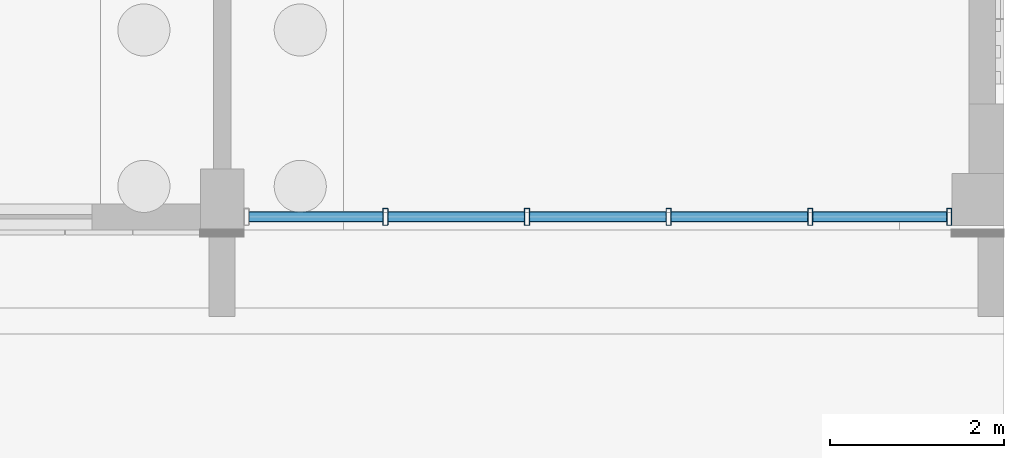
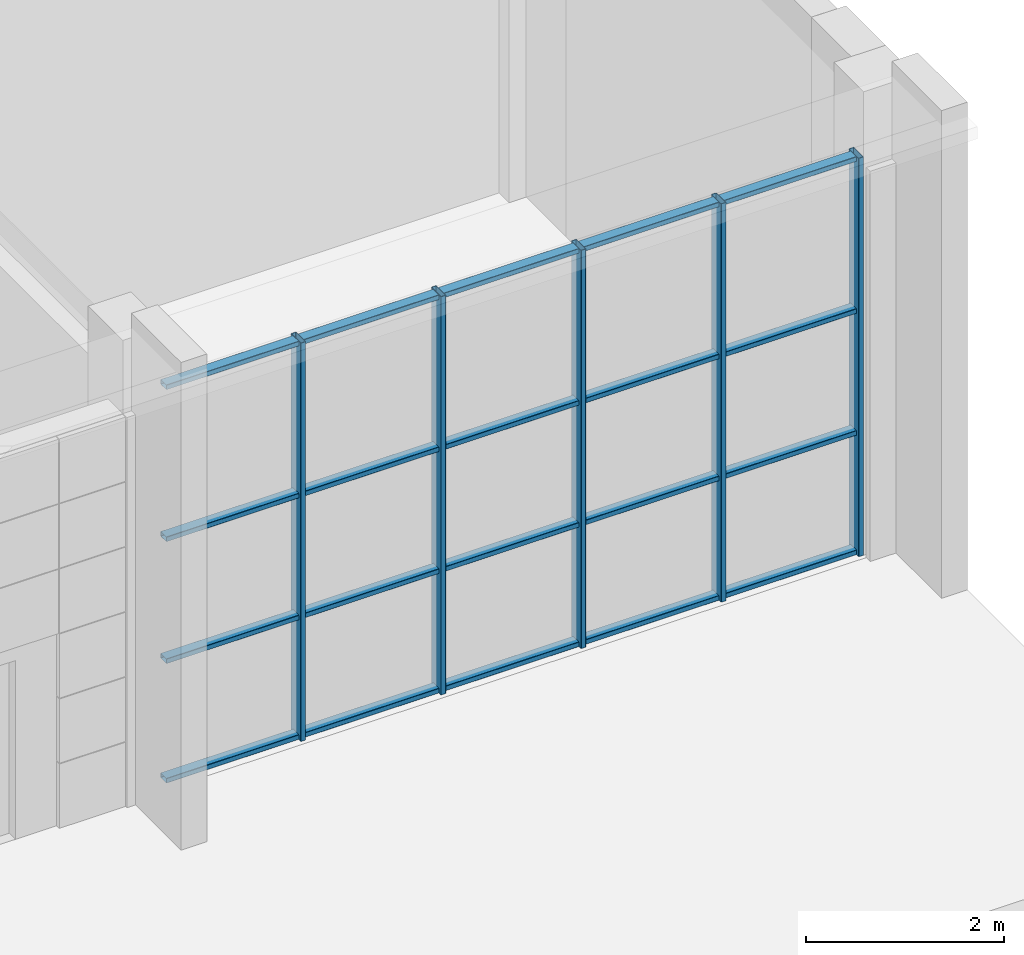
# One storey, part 28 of 125: 25 members, 1 element without a shape of its own.
"""IFC4 building model written with IfcOpenShell, lengths in metres."""

from ifc_helpers import new_model, si_unit, direction, frame, origin, origin_2d, place, context, subcontext, project, spatial, hollow_rectangle, extrude, material, material_profile, profile_set, type_object, element, aggregate, save


model = new_model("IFC4")

# Units and contexts
model_context = context("Model", 3, precision=1e-05, world=origin(), true_north=direction((0.0, 1.0)))
body_context = subcontext(model_context, "Body", "Model", "MODEL_VIEW")
ifc_project = project(units=[si_unit("LENGTHUNIT", "METRE"), si_unit("AREAUNIT", "SQUARE_METRE"), si_unit("VOLUMEUNIT", "CUBIC_METRE"), si_unit("PLANEANGLEUNIT", "RADIAN"), si_unit("MASSUNIT", "GRAM", prefix="KILO")], contexts=[model_context])

# Site, building, storey
site_placement = place(None, origin())
site = spatial("IfcSite", under=ifc_project, at=site_placement, CompositionType="ELEMENT")
building_placement = place(site_placement, origin())
building = spatial("IfcBuilding", under=site, at=building_placement, Name="Sun Court Science Centre", CompositionType="ELEMENT")
storey_placement = place(building_placement, origin())
storey = spatial("IfcBuildingStorey", under=building, at=storey_placement, Name="L00", CompositionType="ELEMENT", Elevation=0.0)

# Curtain wall, members
ifc_material_1 = material(Name="Aluminium EN AW-6063 T6", Category="aluminium")
curtain_wall_type = type_object("IfcCurtainWallType", Name="Laboratory tall bay curtain wall 1500", PredefinedType="NOTDEFINED", material=ifc_material_1)
curtain_wall_placement = place(storey_placement, origin())
curtain_wall = element("IfcCurtainWall", 1, at=curtain_wall_placement, inside=storey, type_object=curtain_wall_type, Name="Curtain wall V4 S L00 01", PredefinedType="NOTDEFINED")
ifc_material_2 = material(Name="Aluminium EN AW-6063 T6", Category="aluminium")
ifc_material_profile_1 = material_profile(ifc_material_2, hollow_rectangle(XDim=0.06005859375, YDim=0.199951171875, WallThickness=0.0048828125, InnerFilletRadius=0.0048828125, OuterFilletRadius=0.007568359375, at=origin_2d()), Name="AL 60x200x5")
ifc_profile_set_1 = profile_set([ifc_material_profile_1], Name="Aluminium EN AW-6063 T6")
member_type_1 = type_object("IfcMemberType", Name="Curtain wall mullion AL 60x200", PredefinedType="MULLION", material=ifc_profile_set_1)
member_1_placement = place(storey_placement, frame((96.8798828125, 6.14990234375, 0.0), z_axis=(0.0, 0.0, 1.0), x_axis=(-1.0, 0.0, 0.0)))
member_1 = element("IfcMember", 2, at=member_1_placement, type_object=member_type_1, Name="CW2-47 mullion 5", PredefinedType="MULLION", context=body_context, shape_type="SweptSolid", body=[
    extrude(hollow_rectangle(XDim=0.06005859375, YDim=0.199951171875, WallThickness=0.0048828125, InnerFilletRadius=0.0048828125, OuterFilletRadius=0.007568359375, at=origin_2d()), origin(), (0.0, 0.0, 1.0), 4.89990234375),
])
member_2_placement = place(storey_placement, frame((98.510009765625, 6.14990234375, 0.0), z_axis=(0.0, 0.0, 1.0), x_axis=(-1.0, 0.0, 0.0)))
member_2 = element("IfcMember", 3, at=member_2_placement, type_object=member_type_1, Name="CW2-47 mullion 4", PredefinedType="MULLION", context=body_context, shape_type="SweptSolid", body=[
    extrude(hollow_rectangle(XDim=0.06005859375, YDim=0.199951171875, WallThickness=0.0048828125, InnerFilletRadius=0.0048828125, OuterFilletRadius=0.007568359375, at=origin_2d()), origin(), (0.0, 0.0, 1.0), 4.89990234375),
])
member_3_placement = place(storey_placement, frame((100.139892578125, 6.14990234375, 0.0), z_axis=(0.0, 0.0, 1.0), x_axis=(-1.0, 0.0, 0.0)))
member_3 = element("IfcMember", 4, at=member_3_placement, type_object=member_type_1, Name="CW2-47 mullion 3", PredefinedType="MULLION", context=body_context, shape_type="SweptSolid", body=[
    extrude(hollow_rectangle(XDim=0.06005859375, YDim=0.199951171875, WallThickness=0.0048828125, InnerFilletRadius=0.0048828125, OuterFilletRadius=0.007568359375, at=origin_2d()), origin(), (0.0, 0.0, 1.0), 4.89990234375),
])
member_4_placement = place(storey_placement, frame((101.77001953125, 6.14990234375, 0.0), z_axis=(0.0, 0.0, 1.0), x_axis=(-1.0, 0.0, 0.0)))
member_4 = element("IfcMember", 5, at=member_4_placement, type_object=member_type_1, Name="CW2-47 mullion 2", PredefinedType="MULLION", context=body_context, shape_type="SweptSolid", body=[
    extrude(hollow_rectangle(XDim=0.06005859375, YDim=0.199951171875, WallThickness=0.0048828125, InnerFilletRadius=0.0048828125, OuterFilletRadius=0.007568359375, at=origin_2d()), origin(), (0.0, 0.0, 1.0), 4.89990234375),
])
member_5_placement = place(storey_placement, frame((103.3701171875, 6.14990234375, 0.0), z_axis=(0.0, 0.0, 1.0), x_axis=(-1.0, 0.0, 0.0)))
member_5 = element("IfcMember", 6, at=member_5_placement, type_object=member_type_1, Name="CW2-47 mullion 1", PredefinedType="MULLION", context=body_context, shape_type="SweptSolid", body=[
    extrude(hollow_rectangle(XDim=0.06005859375, YDim=0.199951171875, WallThickness=0.0048828125, InnerFilletRadius=0.0048828125, OuterFilletRadius=0.007568359375, at=origin_2d()), origin(), (0.0, 0.0, 1.0), 4.89990234375),
])
ifc_material_3 = material(Name="Aluminium EN AW-6063 T6", Category="aluminium")
ifc_material_profile_2 = material_profile(ifc_material_3, hollow_rectangle(XDim=0.06005859375, YDim=0.1201171875, WallThickness=0.00390625, InnerFilletRadius=0.00390625, OuterFilletRadius=0.006103515625, at=origin_2d()), Name="AL 60x120x4")
ifc_profile_set_2 = profile_set([ifc_material_profile_2], Name="Aluminium EN AW-6063 T6")
member_type_2 = type_object("IfcMemberType", Name="Curtain wall transom AL 60x120", PredefinedType="USERDEFINED", material=ifc_profile_set_2)
member_6_placement = place(storey_placement, frame((96.85009765625, 6.14990234375, 0.030029296875), z_axis=(-1.0, 0.0, 0.0), x_axis=(0.0, 0.0, 1.0)))
member_6 = element("IfcMember", 7, at=member_6_placement, type_object=member_type_2, Name="CW2-47 transom 5.1", ObjectType="TRANSOM", PredefinedType="USERDEFINED", context=body_context, shape_type="SweptSolid", body=[
    extrude(hollow_rectangle(XDim=0.06005859375, YDim=0.1201171875, WallThickness=0.00390625, InnerFilletRadius=0.00390625, OuterFilletRadius=0.006103515625, at=origin_2d()), origin(), (0.0, 0.0, 1.0), 1.5400390625),
])
member_7_placement = place(storey_placement, frame((98.47998046875, 6.14990234375, 0.030029296875), z_axis=(-1.0, 0.0, 0.0), x_axis=(0.0, 0.0, 1.0)))
member_7 = element("IfcMember", 8, at=member_7_placement, type_object=member_type_2, Name="CW2-47 transom 4.1", ObjectType="TRANSOM", PredefinedType="USERDEFINED", context=body_context, shape_type="SweptSolid", body=[
    extrude(hollow_rectangle(XDim=0.06005859375, YDim=0.1201171875, WallThickness=0.00390625, InnerFilletRadius=0.00390625, OuterFilletRadius=0.006103515625, at=origin_2d()), origin(), (0.0, 0.0, 1.0), 1.570068359375),
])
member_8_placement = place(storey_placement, frame((100.110107421875, 6.14990234375, 0.030029296875), z_axis=(-1.0, 0.0, 0.0), x_axis=(0.0, 0.0, 1.0)))
member_8 = element("IfcMember", 9, at=member_8_placement, type_object=member_type_2, Name="CW2-47 transom 3.1", ObjectType="TRANSOM", PredefinedType="USERDEFINED", context=body_context, shape_type="SweptSolid", body=[
    extrude(hollow_rectangle(XDim=0.06005859375, YDim=0.1201171875, WallThickness=0.00390625, InnerFilletRadius=0.00390625, OuterFilletRadius=0.006103515625, at=origin_2d()), origin(), (0.0, 0.0, 1.0), 1.570068359375),
])
member_9_placement = place(storey_placement, frame((101.739990234375, 6.14990234375, 0.030029296875), z_axis=(-1.0, 0.0, 0.0), x_axis=(0.0, 0.0, 1.0)))
member_9 = element("IfcMember", 10, at=member_9_placement, type_object=member_type_2, Name="CW2-47 transom 2.1", ObjectType="TRANSOM", PredefinedType="USERDEFINED", context=body_context, shape_type="SweptSolid", body=[
    extrude(hollow_rectangle(XDim=0.06005859375, YDim=0.1201171875, WallThickness=0.00390625, InnerFilletRadius=0.00390625, OuterFilletRadius=0.006103515625, at=origin_2d()), origin(), (0.0, 0.0, 1.0), 1.570068359375),
])
member_10_placement = place(storey_placement, frame((103.340087890625, 6.14990234375, 0.030029296875), z_axis=(-1.0, 0.0, 0.0), x_axis=(0.0, 0.0, 1.0)))
member_10 = element("IfcMember", 11, at=member_10_placement, type_object=member_type_2, Name="CW2-47 transom 1.1", ObjectType="TRANSOM", PredefinedType="USERDEFINED", context=body_context, shape_type="SweptSolid", body=[
    extrude(hollow_rectangle(XDim=0.06005859375, YDim=0.1201171875, WallThickness=0.00390625, InnerFilletRadius=0.00390625, OuterFilletRadius=0.006103515625, at=origin_2d()), origin(), (0.0, 0.0, 1.0), 1.5400390625),
])
member_11_placement = place(storey_placement, frame((96.85009765625, 6.14990234375, 1.5), z_axis=(-1.0, 0.0, 0.0), x_axis=(0.0, 0.0, 1.0)))
member_11 = element("IfcMember", 12, at=member_11_placement, type_object=member_type_2, Name="CW2-47 transom 5.2", ObjectType="TRANSOM", PredefinedType="USERDEFINED", context=body_context, shape_type="SweptSolid", body=[
    extrude(hollow_rectangle(XDim=0.06005859375, YDim=0.1201171875, WallThickness=0.00390625, InnerFilletRadius=0.00390625, OuterFilletRadius=0.006103515625, at=origin_2d()), origin(), (0.0, 0.0, 1.0), 1.5400390625),
])
member_12_placement = place(storey_placement, frame((98.47998046875, 6.14990234375, 1.5), z_axis=(-1.0, 0.0, 0.0), x_axis=(0.0, 0.0, 1.0)))
member_12 = element("IfcMember", 13, at=member_12_placement, type_object=member_type_2, Name="CW2-47 transom 4.2", ObjectType="TRANSOM", PredefinedType="USERDEFINED", context=body_context, shape_type="SweptSolid", body=[
    extrude(hollow_rectangle(XDim=0.06005859375, YDim=0.1201171875, WallThickness=0.00390625, InnerFilletRadius=0.00390625, OuterFilletRadius=0.006103515625, at=origin_2d()), origin(), (0.0, 0.0, 1.0), 1.570068359375),
])
member_13_placement = place(storey_placement, frame((100.110107421875, 6.14990234375, 1.5), z_axis=(-1.0, 0.0, 0.0), x_axis=(0.0, 0.0, 1.0)))
member_13 = element("IfcMember", 14, at=member_13_placement, type_object=member_type_2, Name="CW2-47 transom 3.2", ObjectType="TRANSOM", PredefinedType="USERDEFINED", context=body_context, shape_type="SweptSolid", body=[
    extrude(hollow_rectangle(XDim=0.06005859375, YDim=0.1201171875, WallThickness=0.00390625, InnerFilletRadius=0.00390625, OuterFilletRadius=0.006103515625, at=origin_2d()), origin(), (0.0, 0.0, 1.0), 1.570068359375),
])
member_14_placement = place(storey_placement, frame((101.739990234375, 6.14990234375, 1.5), z_axis=(-1.0, 0.0, 0.0), x_axis=(0.0, 0.0, 1.0)))
member_14 = element("IfcMember", 15, at=member_14_placement, type_object=member_type_2, Name="CW2-47 transom 2.2", ObjectType="TRANSOM", PredefinedType="USERDEFINED", context=body_context, shape_type="SweptSolid", body=[
    extrude(hollow_rectangle(XDim=0.06005859375, YDim=0.1201171875, WallThickness=0.00390625, InnerFilletRadius=0.00390625, OuterFilletRadius=0.006103515625, at=origin_2d()), origin(), (0.0, 0.0, 1.0), 1.570068359375),
])
member_15_placement = place(storey_placement, frame((103.340087890625, 6.14990234375, 1.5), z_axis=(-1.0, 0.0, 0.0), x_axis=(0.0, 0.0, 1.0)))
member_15 = element("IfcMember", 16, at=member_15_placement, type_object=member_type_2, Name="CW2-47 transom 1.2", ObjectType="TRANSOM", PredefinedType="USERDEFINED", context=body_context, shape_type="SweptSolid", body=[
    extrude(hollow_rectangle(XDim=0.06005859375, YDim=0.1201171875, WallThickness=0.00390625, InnerFilletRadius=0.00390625, OuterFilletRadius=0.006103515625, at=origin_2d()), origin(), (0.0, 0.0, 1.0), 1.5400390625),
])
member_16_placement = place(storey_placement, frame((96.85009765625, 6.14990234375, 3.0), z_axis=(-1.0, 0.0, 0.0), x_axis=(0.0, 0.0, 1.0)))
member_16 = element("IfcMember", 17, at=member_16_placement, type_object=member_type_2, Name="CW2-47 transom 5.3", ObjectType="TRANSOM", PredefinedType="USERDEFINED", context=body_context, shape_type="SweptSolid", body=[
    extrude(hollow_rectangle(XDim=0.06005859375, YDim=0.1201171875, WallThickness=0.00390625, InnerFilletRadius=0.00390625, OuterFilletRadius=0.006103515625, at=origin_2d()), origin(), (0.0, 0.0, 1.0), 1.5400390625),
])
member_17_placement = place(storey_placement, frame((98.47998046875, 6.14990234375, 3.0), z_axis=(-1.0, 0.0, 0.0), x_axis=(0.0, 0.0, 1.0)))
member_17 = element("IfcMember", 18, at=member_17_placement, type_object=member_type_2, Name="CW2-47 transom 4.3", ObjectType="TRANSOM", PredefinedType="USERDEFINED", context=body_context, shape_type="SweptSolid", body=[
    extrude(hollow_rectangle(XDim=0.06005859375, YDim=0.1201171875, WallThickness=0.00390625, InnerFilletRadius=0.00390625, OuterFilletRadius=0.006103515625, at=origin_2d()), origin(), (0.0, 0.0, 1.0), 1.570068359375),
])
member_18_placement = place(storey_placement, frame((100.110107421875, 6.14990234375, 3.0), z_axis=(-1.0, 0.0, 0.0), x_axis=(0.0, 0.0, 1.0)))
member_18 = element("IfcMember", 19, at=member_18_placement, type_object=member_type_2, Name="CW2-47 transom 3.3", ObjectType="TRANSOM", PredefinedType="USERDEFINED", context=body_context, shape_type="SweptSolid", body=[
    extrude(hollow_rectangle(XDim=0.06005859375, YDim=0.1201171875, WallThickness=0.00390625, InnerFilletRadius=0.00390625, OuterFilletRadius=0.006103515625, at=origin_2d()), origin(), (0.0, 0.0, 1.0), 1.570068359375),
])
member_19_placement = place(storey_placement, frame((101.739990234375, 6.14990234375, 3.0), z_axis=(-1.0, 0.0, 0.0), x_axis=(0.0, 0.0, 1.0)))
member_19 = element("IfcMember", 20, at=member_19_placement, type_object=member_type_2, Name="CW2-47 transom 2.3", ObjectType="TRANSOM", PredefinedType="USERDEFINED", context=body_context, shape_type="SweptSolid", body=[
    extrude(hollow_rectangle(XDim=0.06005859375, YDim=0.1201171875, WallThickness=0.00390625, InnerFilletRadius=0.00390625, OuterFilletRadius=0.006103515625, at=origin_2d()), origin(), (0.0, 0.0, 1.0), 1.570068359375),
])
member_20_placement = place(storey_placement, frame((103.340087890625, 6.14990234375, 3.0), z_axis=(-1.0, 0.0, 0.0), x_axis=(0.0, 0.0, 1.0)))
member_20 = element("IfcMember", 21, at=member_20_placement, type_object=member_type_2, Name="CW2-47 transom 1.3", ObjectType="TRANSOM", PredefinedType="USERDEFINED", context=body_context, shape_type="SweptSolid", body=[
    extrude(hollow_rectangle(XDim=0.06005859375, YDim=0.1201171875, WallThickness=0.00390625, InnerFilletRadius=0.00390625, OuterFilletRadius=0.006103515625, at=origin_2d()), origin(), (0.0, 0.0, 1.0), 1.5400390625),
])
member_21_placement = place(storey_placement, frame((96.85009765625, 6.14990234375, 4.8701171875), z_axis=(-1.0, 0.0, 0.0), x_axis=(0.0, 0.0, 1.0)))
member_21 = element("IfcMember", 22, at=member_21_placement, type_object=member_type_2, Name="CW2-47 transom 5.4", ObjectType="TRANSOM", PredefinedType="USERDEFINED", context=body_context, shape_type="SweptSolid", body=[
    extrude(hollow_rectangle(XDim=0.06005859375, YDim=0.1201171875, WallThickness=0.00390625, InnerFilletRadius=0.00390625, OuterFilletRadius=0.006103515625, at=origin_2d()), origin(), (0.0, 0.0, 1.0), 1.5400390625),
])
member_22_placement = place(storey_placement, frame((98.47998046875, 6.14990234375, 4.8701171875), z_axis=(-1.0, 0.0, 0.0), x_axis=(0.0, 0.0, 1.0)))
member_22 = element("IfcMember", 23, at=member_22_placement, type_object=member_type_2, Name="CW2-47 transom 4.4", ObjectType="TRANSOM", PredefinedType="USERDEFINED", context=body_context, shape_type="SweptSolid", body=[
    extrude(hollow_rectangle(XDim=0.06005859375, YDim=0.1201171875, WallThickness=0.00390625, InnerFilletRadius=0.00390625, OuterFilletRadius=0.006103515625, at=origin_2d()), origin(), (0.0, 0.0, 1.0), 1.570068359375),
])
member_23_placement = place(storey_placement, frame((100.110107421875, 6.14990234375, 4.8701171875), z_axis=(-1.0, 0.0, 0.0), x_axis=(0.0, 0.0, 1.0)))
member_23 = element("IfcMember", 24, at=member_23_placement, type_object=member_type_2, Name="CW2-47 transom 3.4", ObjectType="TRANSOM", PredefinedType="USERDEFINED", context=body_context, shape_type="SweptSolid", body=[
    extrude(hollow_rectangle(XDim=0.06005859375, YDim=0.1201171875, WallThickness=0.00390625, InnerFilletRadius=0.00390625, OuterFilletRadius=0.006103515625, at=origin_2d()), origin(), (0.0, 0.0, 1.0), 1.570068359375),
])
member_24_placement = place(storey_placement, frame((101.739990234375, 6.14990234375, 4.8701171875), z_axis=(-1.0, 0.0, 0.0), x_axis=(0.0, 0.0, 1.0)))
member_24 = element("IfcMember", 25, at=member_24_placement, type_object=member_type_2, Name="CW2-47 transom 2.4", ObjectType="TRANSOM", PredefinedType="USERDEFINED", context=body_context, shape_type="SweptSolid", body=[
    extrude(hollow_rectangle(XDim=0.06005859375, YDim=0.1201171875, WallThickness=0.00390625, InnerFilletRadius=0.00390625, OuterFilletRadius=0.006103515625, at=origin_2d()), origin(), (0.0, 0.0, 1.0), 1.570068359375),
])
member_25_placement = place(storey_placement, frame((103.340087890625, 6.14990234375, 4.8701171875), z_axis=(-1.0, 0.0, 0.0), x_axis=(0.0, 0.0, 1.0)))
member_25 = element("IfcMember", 26, at=member_25_placement, type_object=member_type_2, Name="CW2-47 transom 1.4", ObjectType="TRANSOM", PredefinedType="USERDEFINED", context=body_context, shape_type="SweptSolid", body=[
    extrude(hollow_rectangle(XDim=0.06005859375, YDim=0.1201171875, WallThickness=0.00390625, InnerFilletRadius=0.00390625, OuterFilletRadius=0.006103515625, at=origin_2d()), origin(), (0.0, 0.0, 1.0), 1.5400390625),
])
aggregate(curtain_wall, [member_1, member_2, member_3, member_4, member_5, member_6, member_7, member_8, member_9, member_10, member_11, member_12, member_13, member_14, member_15, member_16, member_17, member_18, member_19, member_20, member_21, member_22, member_23, member_24, member_25])

save(model, "model.ifc")
